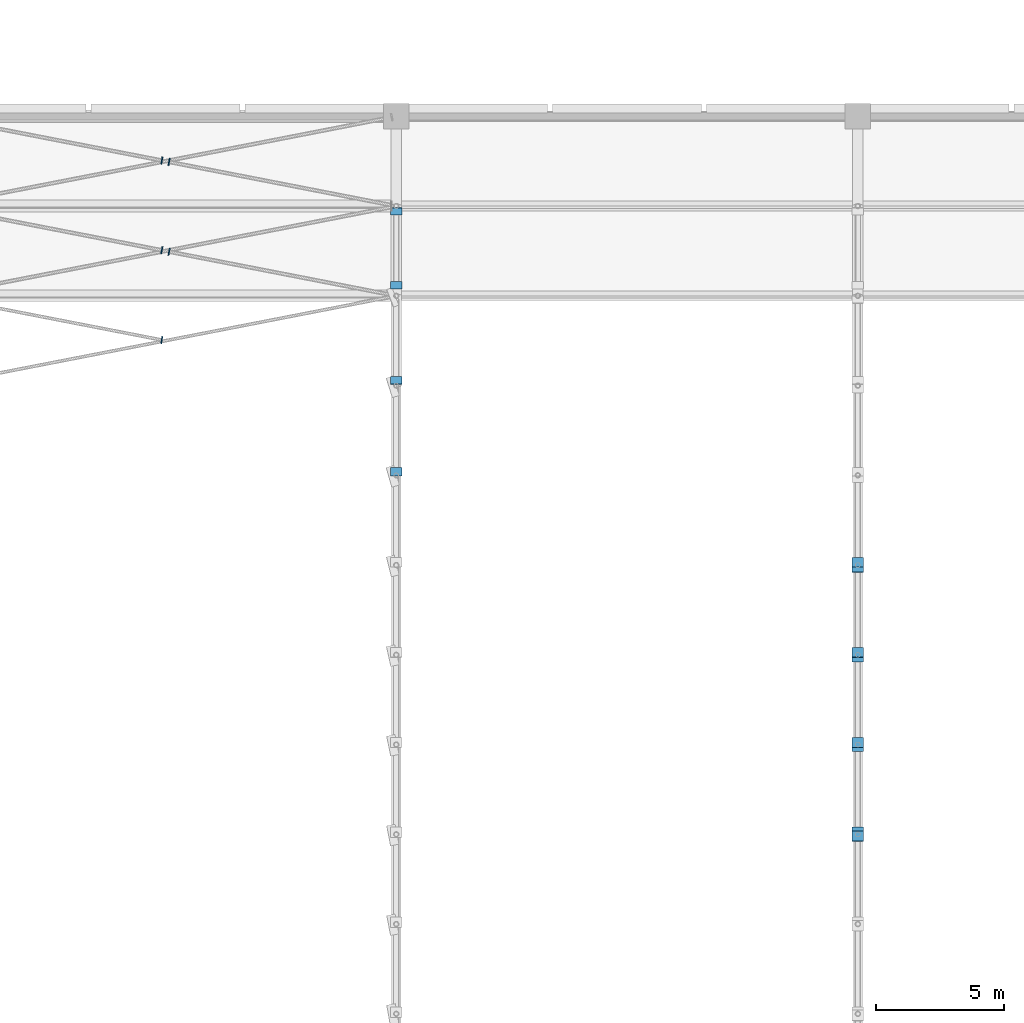
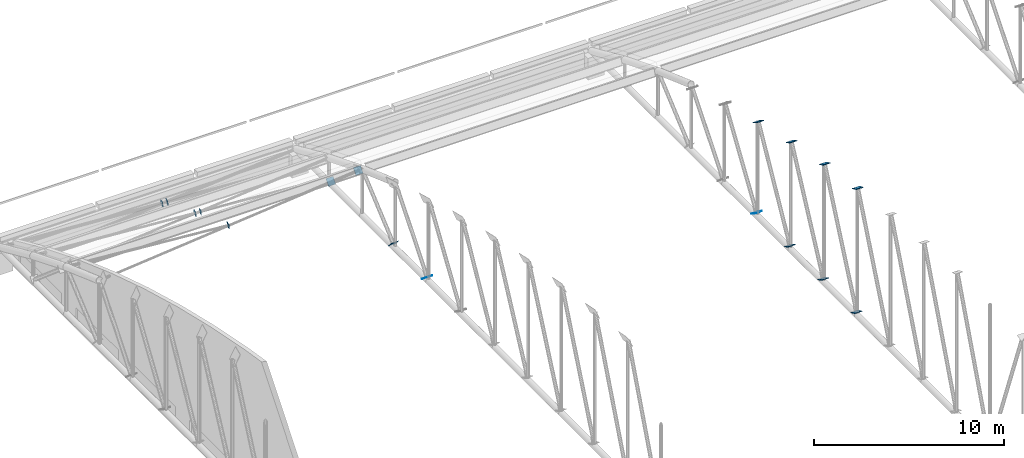
# One storey, part 173 of 196: 17 discrete accessories.
"""IFC4 building model written with IfcOpenShell, lengths in metres."""

from ifc_helpers import new_model, si_unit, direction, frame, origin, origin_2d, place, context, subcontext, project, spatial, rectangle, extrude, material, layer, layer_set, type_object, element, save


model = new_model("IFC4")

# Units and contexts
model_context = context("Model", 3, precision=1e-05, world=origin(), true_north=direction((0.0, 1.0)))
body_context = subcontext(model_context, "Body", "Model", "MODEL_VIEW")
ifc_project = project(units=[si_unit("LENGTHUNIT", "METRE"), si_unit("AREAUNIT", "SQUARE_METRE"), si_unit("VOLUMEUNIT", "CUBIC_METRE"), si_unit("PLANEANGLEUNIT", "RADIAN"), si_unit("MASSUNIT", "GRAM", prefix="KILO")], contexts=[model_context])

# Site, building, storey
site_placement = place(None, origin())
site = spatial("IfcSite", under=ifc_project, at=site_placement, CompositionType="ELEMENT")
building_placement = place(site_placement, origin())
building = spatial("IfcBuilding", under=site, at=building_placement, Name="Okhra Congress Centre", CompositionType="ELEMENT")
storey_placement = place(building_placement, frame((0.0, 0.0, 12.0)))
storey = spatial("IfcBuildingStorey", under=building, at=storey_placement, Name="L02", CompositionType="ELEMENT", Elevation=12.0)

# Discrete accessories
ifc_material = material(Name="Steel S355J2", Category="steel")
ifc_layer = layer(ifc_material, 0.02001953125)
ifc_layer_set = layer_set([ifc_layer], Name="Brace end connection plate 20 mm S355")
discrete_accessory_type = type_object("IfcDiscreteAccessoryType", Name="Brace end connection plate 20 mm S355", PredefinedType="BRACKET", material=ifc_layer_set)
for number, where, z_axis, x_axis, name in (
    (1, (46.0, 202.147216796875, 1.577880859375), (0.0, -0.643761629109, -0.765226087432), (1.0, 0.0, 0.0), "Brace end connection plate"),
    (2, (46.0, 205.709228515625, 1.577880859375), (0.0, -0.760121344352, -0.649781149204), (1.0, 0.0, 0.0), "Brace end connection plate"),
    (3, (46.0, 209.42578125, 4.01220703125), (0.0, -0.760121344352, 0.649781149204), (1.0, 0.0, 0.0), "Brace end connection plate"),
    (4, (46.0, 212.290771484375, 1.577880859375), (0.0, 0.760121344352, -0.649781149204), (-1.0, 0.0, 0.0), "Brace end connection plate"),
    (5, (64.0, 187.926513671875, 9.6240234375), (0.0, 0.388057000058, 0.921635375138), (-1.0, 0.0, 0.0), "Brace end connection plate"),
    (6, (64.0, 191.42236328125, 9.0595703125), (0.0, 0.402738614266, 0.915315032423), (-1.0, 0.0, 0.0), "Brace end connection plate"),
    (7, (64.0, 188.079345703125, 1.577880859375), (0.0, -0.402738614266, -0.915315032423), (1.0, 0.0, 0.0), "Brace end connection plate"),
):
    element("IfcDiscreteAccessory", number, at=place(storey_placement, frame(where, z_axis=z_axis, x_axis=x_axis)), inside=storey, type_object=discrete_accessory_type, Name=name, PredefinedType="BRACKET", context=body_context, shape_type="SweptSolid", body=[
        extrude(rectangle(XDim=0.43798828125, YDim=0.43798828125, at=origin_2d()), origin(), (0.0, 0.0, 1.0), 0.02001953125),
    ])
discrete_accessory_placement = place(storey_placement, frame((64.0, 194.916259765625, 8.365234375), z_axis=(0.0, 0.44229248412, 0.896870870578), x_axis=(-1.0, 0.0, 0.0)))
element("IfcDiscreteAccessory", 8, at=discrete_accessory_placement, inside=storey, type_object=discrete_accessory_type, Name="Brace end connection plate", PredefinedType="BRACKET", context=body_context, shape_type="SweptSolid", body=[
    extrude(rectangle(XDim=0.43798828125, YDim=0.43798828125, at=origin_2d()), origin(), (0.0, 0.0, 1.0), 0.019775390625),
])
for number, where, z_axis, x_axis, name in (
    (9, (64.0, 191.587158203125, 1.577880859375), (0.0, -0.437465718849, -0.899235088746), (1.0, 0.0, 0.0), "Brace end connection plate"),
    (10, (64.0, 198.4072265625, 7.538330078125), (0.0, 0.485642931179, 0.874157276122), (-1.0, 0.0, 0.0), "Brace end connection plate"),
    (11, (64.0, 195.0986328125, 1.577880859375), (0.0, -0.485642931179, -0.874157276122), (1.0, 0.0, 0.0), "Brace end connection plate"),
    (12, (64.0, 198.61669921875, 1.577880859375), (0.0, -0.546267780547, -0.837610596839), (1.0, 0.0, 0.0), "Brace end connection plate"),
):
    element("IfcDiscreteAccessory", number, at=place(storey_placement, frame(where, z_axis=z_axis, x_axis=x_axis)), inside=storey, type_object=discrete_accessory_type, Name=name, PredefinedType="BRACKET", context=body_context, shape_type="SweptSolid", body=[
        extrude(rectangle(XDim=0.43798828125, YDim=0.43798828125, at=origin_2d()), origin(), (0.0, 0.0, 1.0), 0.02001953125),
    ])
for number, where, z_axis, x_axis, name in (
    (13, (36.844970703125, 207.280029296875, 4.99072265625), (0.980212576021, -0.183789858004, 0.073515943202), (0.18428853505, 0.982872186934, 0.0), "Brace end connection plate"),
    (14, (37.152587890625, 210.72021484375, 3.682373046875), (-0.977939573758, 0.195587914752, -0.073345468032), (-0.196116135138, -0.980580675691, 0.0), "Brace end connection plate"),
    (15, (36.847412109375, 210.77978515625, 3.658447265625), (0.977939573758, -0.195587914752, 0.073345468032), (0.196116135138, 0.980580675691, 0.0), "Brace end connection plate"),
    (16, (37.14990234375, 214.220947265625, 2.196533203125), (-0.979257453545, 0.18361077254, -0.085685027185), (-0.18428853505, -0.982872186934, 0.0), "Brace end connection plate"),
    (17, (36.85009765625, 214.279052734375, 2.17041015625), (0.979257453545, -0.18361077254, 0.085685027185), (0.18428853505, 0.982872186934, 0.0), "Brace end connection plate"),
):
    element("IfcDiscreteAccessory", number, at=place(storey_placement, frame(where, z_axis=z_axis, x_axis=x_axis)), inside=storey, type_object=discrete_accessory_type, Name=name, PredefinedType="BRACKET", context=body_context, shape_type="SweptSolid", body=[
        extrude(rectangle(XDim=0.279052734375, YDim=0.279052734375, at=origin_2d()), origin(), (0.0, 0.0, 1.0), 0.02001953125),
    ])

save(model, "model.ifc")
